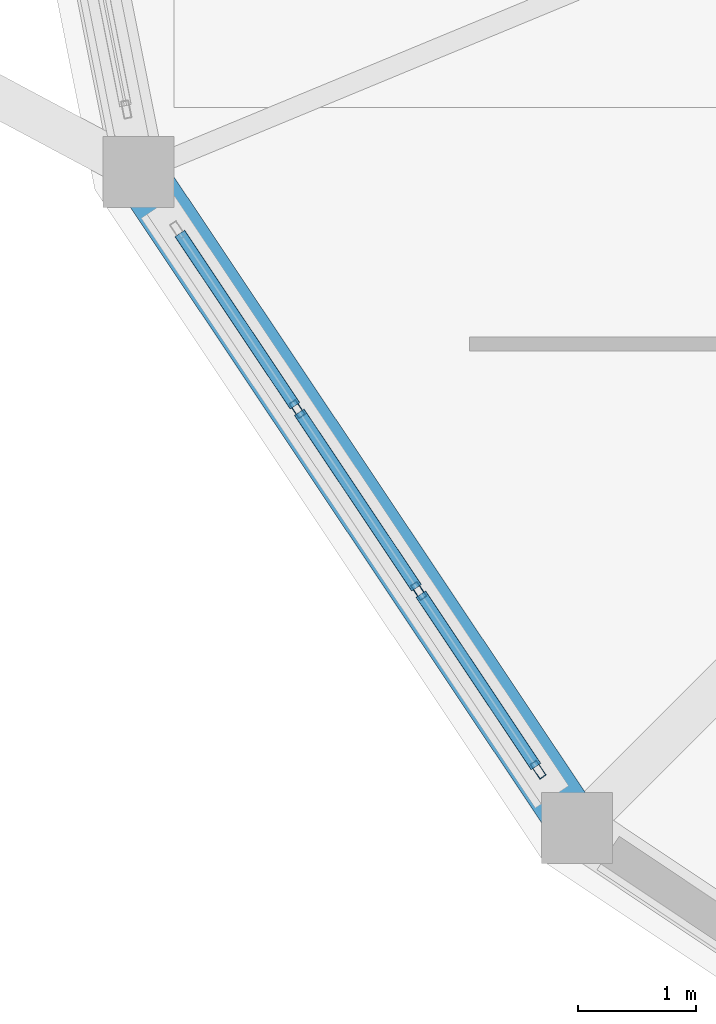
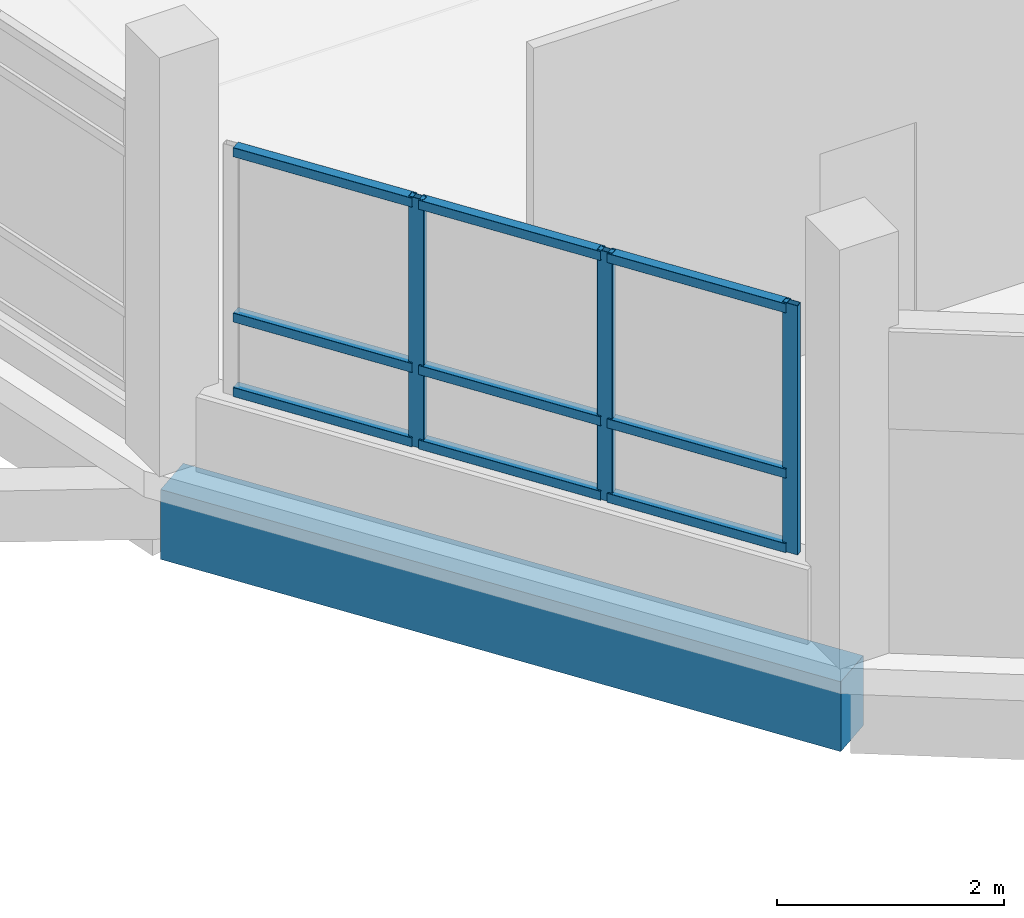
# One storey, part 33 of 129: 12 members, 1 beam, 1 element without a shape of its own.
"""IFC4 building model written with IfcOpenShell, lengths in metres."""

from ifc_helpers import new_model, si_unit, direction, frame, origin, origin_2d, place, context, subcontext, project, spatial, rectangle, hollow_rectangle, extrude, material, layer, layer_set, material_profile, profile_set, type_object, element, aggregate, save


model = new_model("IFC4")

# Units and contexts
model_context = context("Model", 3, precision=1e-05, world=origin(), true_north=direction((0.0, 1.0)))
body_context = subcontext(model_context, "Body", "Model", "MODEL_VIEW")
ifc_project = project(units=[si_unit("LENGTHUNIT", "METRE"), si_unit("AREAUNIT", "SQUARE_METRE"), si_unit("VOLUMEUNIT", "CUBIC_METRE"), si_unit("PLANEANGLEUNIT", "RADIAN"), si_unit("MASSUNIT", "GRAM", prefix="KILO")], contexts=[model_context])

# Site, building, storey
site_placement = place(None, origin())
site = spatial("IfcSite", under=ifc_project, at=site_placement, CompositionType="ELEMENT")
building_placement = place(site_placement, origin())
building = spatial("IfcBuilding", under=site, at=building_placement, Name="Vespera Passage Community Centre", CompositionType="ELEMENT")
storey_placement = place(building_placement, origin())
storey = spatial("IfcBuildingStorey", under=building, at=storey_placement, Name="L00", CompositionType="ELEMENT", Elevation=0.0)

# Beam
ifc_material_1 = material(Name="Concrete f'c 35 MPa", Category="concrete")
ifc_material_profile_1 = material_profile(ifc_material_1, rectangle(XDim=0.449951171875, YDim=0.75, at=origin_2d()), Name="RC450X750")
ifc_profile_set_1 = profile_set([ifc_material_profile_1], Name="Concrete f'c 35 MPa")
beam_type = type_object("IfcBeamType", Name="BM-SP-450X750E", PredefinedType="SPANDREL", material=ifc_profile_set_1)
beam_placement = place(storey_placement, frame((125.20166015625, 18.4560546875, -0.655029296875), z_axis=(0.55556964639, -0.831470004276, 0.0), x_axis=(0.831470004276, 0.55556964639, 0.0)))
element("IfcBeam", 1, at=beam_placement, inside=storey, type_object=beam_type, Name="V3 L00 Spandrel 10", PredefinedType="SPANDREL", context=body_context, shape_type="SweptSolid", body=[
    extrude(rectangle(XDim=0.449951171875, YDim=0.75, at=origin_2d()), origin(), (0.0, 0.0, 1.0), 6.672119140625),
])

# Curtain wall, members
ifc_material_2 = material(Name="Anodized aluminium 6063-T6", Category="aluminium")
ifc_layer = layer(ifc_material_2, 0.159912109375)
ifc_layer_set = layer_set([ifc_layer], Name="Anodized aluminium 6063-T6")
curtain_wall_type = type_object("IfcCurtainWallType", Name="CW-102E", PredefinedType="NOTDEFINED", material=ifc_layer_set)
curtain_wall_placement = place(storey_placement, origin())
curtain_wall = element("IfcCurtainWall", 2, at=curtain_wall_placement, inside=storey, type_object=curtain_wall_type, Name="Dining Drum Ribbon Curtain Wall L00.10", PredefinedType="NOTDEFINED")
ifc_material_3 = material(Name="Anodized aluminium 6063-T6", Category="aluminium")
ifc_material_profile_2 = material_profile(ifc_material_3, hollow_rectangle(XDim=0.06494140625, YDim=0.14990234375, WallThickness=0.00390625, InnerFilletRadius=0.001953125, OuterFilletRadius=0.00390625, at=origin_2d()), Name="ALU150X65X4")
ifc_profile_set_2 = profile_set([ifc_material_profile_2], Name="Anodized aluminium 6063-T6")
member_type_1 = type_object("IfcMemberType", Name="MB-CWM-150E", PredefinedType="MULLION", material=ifc_profile_set_2)
member_1_placement = place(storey_placement, frame((128.578857421875, 13.40185546875, 0.800048828125), z_axis=(0.0, 0.0, 1.0), x_axis=(-0.831473308708, -0.555564700918, 0.0)))
member_1 = element("IfcMember", 3, at=member_1_placement, type_object=member_type_1, Name="CW-102E mullion 1", PredefinedType="MULLION", context=body_context, shape_type="SweptSolid", body=[
    extrude(hollow_rectangle(XDim=0.06494140625, YDim=0.14990234375, WallThickness=0.00390625, InnerFilletRadius=0.001953125, OuterFilletRadius=0.00390625, at=origin_2d()), origin(), (0.0, 0.0, 1.0), 2.675048828125),
])
member_2_placement = place(storey_placement, frame((127.569091796875, 14.9130859375, 0.800048828125), z_axis=(0.0, 0.0, 1.0), x_axis=(-0.831473308708, -0.555564700918, 0.0)))
member_2 = element("IfcMember", 4, at=member_2_placement, type_object=member_type_1, Name="CW-102E mullion 2", PredefinedType="MULLION", context=body_context, shape_type="SweptSolid", body=[
    extrude(hollow_rectangle(XDim=0.06494140625, YDim=0.14990234375, WallThickness=0.00390625, InnerFilletRadius=0.001953125, OuterFilletRadius=0.00390625, at=origin_2d()), origin(), (0.0, 0.0, 1.0), 2.675048828125),
])
member_3_placement = place(storey_placement, frame((126.541259765625, 16.451416015625, 0.800048828125), z_axis=(0.0, 0.0, 1.0), x_axis=(-0.831473308708, -0.555564700918, 0.0)))
member_3 = element("IfcMember", 5, at=member_3_placement, type_object=member_type_1, Name="CW-102E mullion 3", PredefinedType="MULLION", context=body_context, shape_type="SweptSolid", body=[
    extrude(hollow_rectangle(XDim=0.06494140625, YDim=0.14990234375, WallThickness=0.00390625, InnerFilletRadius=0.001953125, OuterFilletRadius=0.00390625, at=origin_2d()), origin(), (0.0, 0.0, 1.0), 2.675048828125),
])
ifc_material_4 = material(Name="Anodized aluminium 6063-T6", Category="aluminium")
ifc_material_profile_3 = material_profile(ifc_material_4, hollow_rectangle(XDim=0.10009765625, YDim=0.10009765625, WallThickness=0.00390625, InnerFilletRadius=0.001953125, OuterFilletRadius=0.00390625, at=origin_2d()), Name="ALU100X100X4")
ifc_profile_set_3 = profile_set([ifc_material_profile_3], Name="Anodized aluminium 6063-T6")
member_type_2 = type_object("IfcMemberType", Name="MB-CWT-100E", PredefinedType="USERDEFINED", material=ifc_profile_set_3)
member_4_placement = place(storey_placement, frame((128.560791015625, 13.428955078125, 0.85009765625), z_axis=(-0.555535727386, 0.831492667194, 0.0), x_axis=(-0.831492667194, -0.555535727386, 0.0)))
member_4 = element("IfcMember", 6, at=member_4_placement, type_object=member_type_2, Name="CW-102E transom 1.1", ObjectType="TRANSOM", PredefinedType="USERDEFINED", context=body_context, shape_type="SweptSolid", body=[
    extrude(hollow_rectangle(XDim=0.10009765625, YDim=0.10009765625, WallThickness=0.00390625, InnerFilletRadius=0.001953125, OuterFilletRadius=0.00390625, at=origin_2d()), origin(), (0.0, 0.0, 1.0), 1.752685546875),
])
member_5_placement = place(storey_placement, frame((128.560791015625, 13.428955078125, 1.64990234375), z_axis=(-0.555535727386, 0.831492667194, 0.0), x_axis=(-0.831492667194, -0.555535727386, 0.0)))
member_5 = element("IfcMember", 7, at=member_5_placement, type_object=member_type_2, Name="CW-102E transom 1.2", ObjectType="TRANSOM", PredefinedType="USERDEFINED", context=body_context, shape_type="SweptSolid", body=[
    extrude(hollow_rectangle(XDim=0.10009765625, YDim=0.10009765625, WallThickness=0.00390625, InnerFilletRadius=0.001953125, OuterFilletRadius=0.00390625, at=origin_2d()), origin(), (0.0, 0.0, 1.0), 1.752685546875),
])
member_6_placement = place(storey_placement, frame((128.560791015625, 13.428955078125, 3.425048828125), z_axis=(-0.555535727386, 0.831492667194, 0.0), x_axis=(-0.831492667194, -0.555535727386, 0.0)))
member_6 = element("IfcMember", 8, at=member_6_placement, type_object=member_type_2, Name="CW-102E transom 1.3", ObjectType="TRANSOM", PredefinedType="USERDEFINED", context=body_context, shape_type="SweptSolid", body=[
    extrude(hollow_rectangle(XDim=0.10009765625, YDim=0.10009765625, WallThickness=0.00390625, InnerFilletRadius=0.001953125, OuterFilletRadius=0.00390625, at=origin_2d()), origin(), (0.0, 0.0, 1.0), 1.752685546875),
])
member_7_placement = place(storey_placement, frame((127.551025390625, 14.940185546875, 0.85009765625), z_axis=(-0.555520488502, 0.831502848374, 0.0), x_axis=(-0.831502848374, -0.555520488502, 0.0)))
member_7 = element("IfcMember", 9, at=member_7_placement, type_object=member_type_2, Name="CW-102E transom 2.1", ObjectType="TRANSOM", PredefinedType="USERDEFINED", context=body_context, shape_type="SweptSolid", body=[
    extrude(hollow_rectangle(XDim=0.10009765625, YDim=0.10009765625, WallThickness=0.00390625, InnerFilletRadius=0.001953125, OuterFilletRadius=0.00390625, at=origin_2d()), origin(), (0.0, 0.0, 1.0), 1.78515625),
])
member_8_placement = place(storey_placement, frame((127.551025390625, 14.940185546875, 1.64990234375), z_axis=(-0.555520488502, 0.831502848374, 0.0), x_axis=(-0.831502848374, -0.555520488502, 0.0)))
member_8 = element("IfcMember", 10, at=member_8_placement, type_object=member_type_2, Name="CW-102E transom 2.2", ObjectType="TRANSOM", PredefinedType="USERDEFINED", context=body_context, shape_type="SweptSolid", body=[
    extrude(hollow_rectangle(XDim=0.10009765625, YDim=0.10009765625, WallThickness=0.00390625, InnerFilletRadius=0.001953125, OuterFilletRadius=0.00390625, at=origin_2d()), origin(), (0.0, 0.0, 1.0), 1.78515625),
])
member_9_placement = place(storey_placement, frame((127.551025390625, 14.940185546875, 3.425048828125), z_axis=(-0.555520488502, 0.831502848374, 0.0), x_axis=(-0.831502848374, -0.555520488502, 0.0)))
member_9 = element("IfcMember", 11, at=member_9_placement, type_object=member_type_2, Name="CW-102E transom 2.3", ObjectType="TRANSOM", PredefinedType="USERDEFINED", context=body_context, shape_type="SweptSolid", body=[
    extrude(hollow_rectangle(XDim=0.10009765625, YDim=0.10009765625, WallThickness=0.00390625, InnerFilletRadius=0.001953125, OuterFilletRadius=0.00390625, at=origin_2d()), origin(), (0.0, 0.0, 1.0), 1.78515625),
])
member_10_placement = place(storey_placement, frame((126.523193359375, 16.478515625, 0.85009765625), z_axis=(-0.555632026719, 0.831428319751, 0.0), x_axis=(-0.831428319751, -0.555632026719, 0.0)))
member_10 = element("IfcMember", 12, at=member_10_placement, type_object=member_type_2, Name="CW-102E transom 3.1", ObjectType="TRANSOM", PredefinedType="USERDEFINED", context=body_context, shape_type="SweptSolid", body=[
    extrude(hollow_rectangle(XDim=0.10009765625, YDim=0.10009765625, WallThickness=0.00390625, InnerFilletRadius=0.001953125, OuterFilletRadius=0.00390625, at=origin_2d()), origin(), (0.0, 0.0, 1.0), 1.752685546875),
])
member_11_placement = place(storey_placement, frame((126.523193359375, 16.478515625, 1.64990234375), z_axis=(-0.555632026719, 0.831428319751, 0.0), x_axis=(-0.831428319751, -0.555632026719, 0.0)))
member_11 = element("IfcMember", 13, at=member_11_placement, type_object=member_type_2, Name="CW-102E transom 3.2", ObjectType="TRANSOM", PredefinedType="USERDEFINED", context=body_context, shape_type="SweptSolid", body=[
    extrude(hollow_rectangle(XDim=0.10009765625, YDim=0.10009765625, WallThickness=0.00390625, InnerFilletRadius=0.001953125, OuterFilletRadius=0.00390625, at=origin_2d()), origin(), (0.0, 0.0, 1.0), 1.752685546875),
])
member_12_placement = place(storey_placement, frame((126.523193359375, 16.478515625, 3.425048828125), z_axis=(-0.555632026719, 0.831428319751, 0.0), x_axis=(-0.831428319751, -0.555632026719, 0.0)))
member_12 = element("IfcMember", 14, at=member_12_placement, type_object=member_type_2, Name="CW-102E transom 3.3", ObjectType="TRANSOM", PredefinedType="USERDEFINED", context=body_context, shape_type="SweptSolid", body=[
    extrude(hollow_rectangle(XDim=0.10009765625, YDim=0.10009765625, WallThickness=0.00390625, InnerFilletRadius=0.001953125, OuterFilletRadius=0.00390625, at=origin_2d()), origin(), (0.0, 0.0, 1.0), 1.752685546875),
])
aggregate(curtain_wall, [member_1, member_2, member_3, member_4, member_5, member_6, member_7, member_8, member_9, member_10, member_11, member_12])

save(model, "model.ifc")
